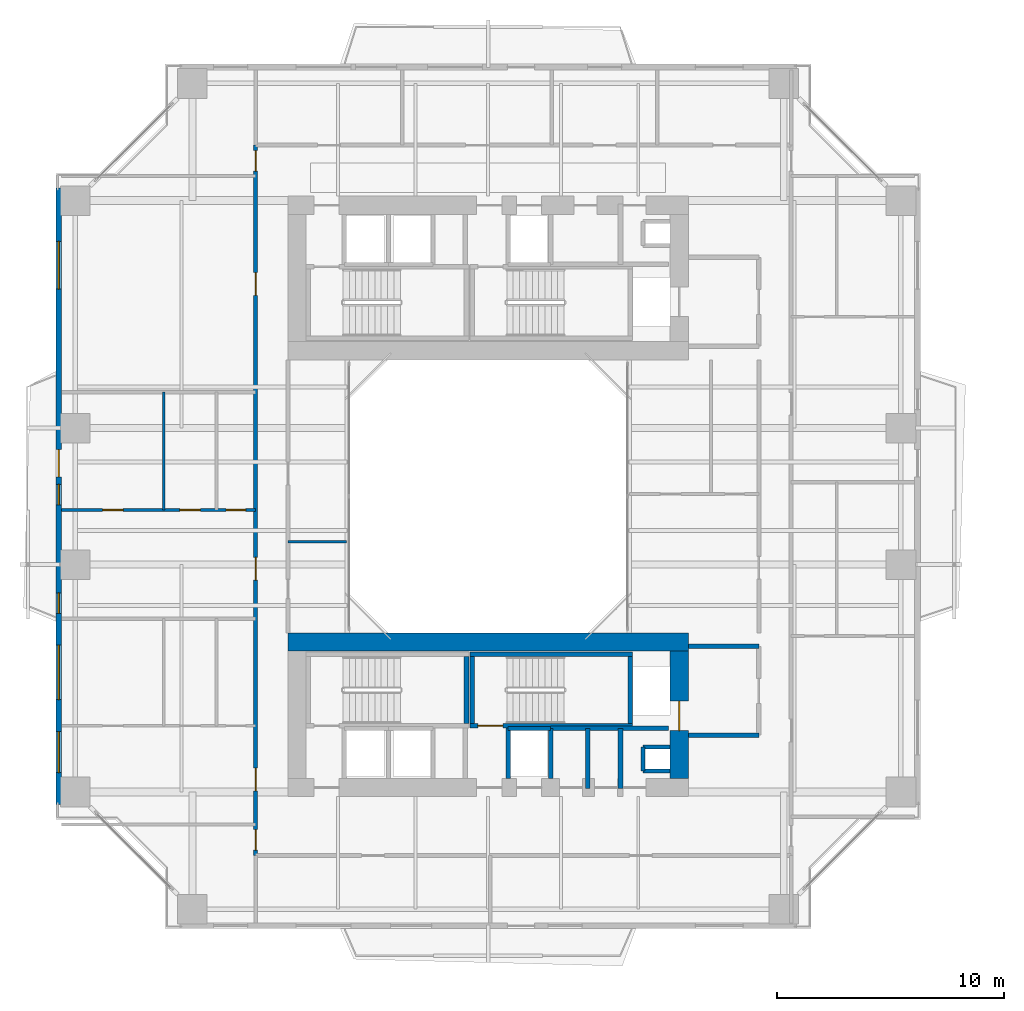
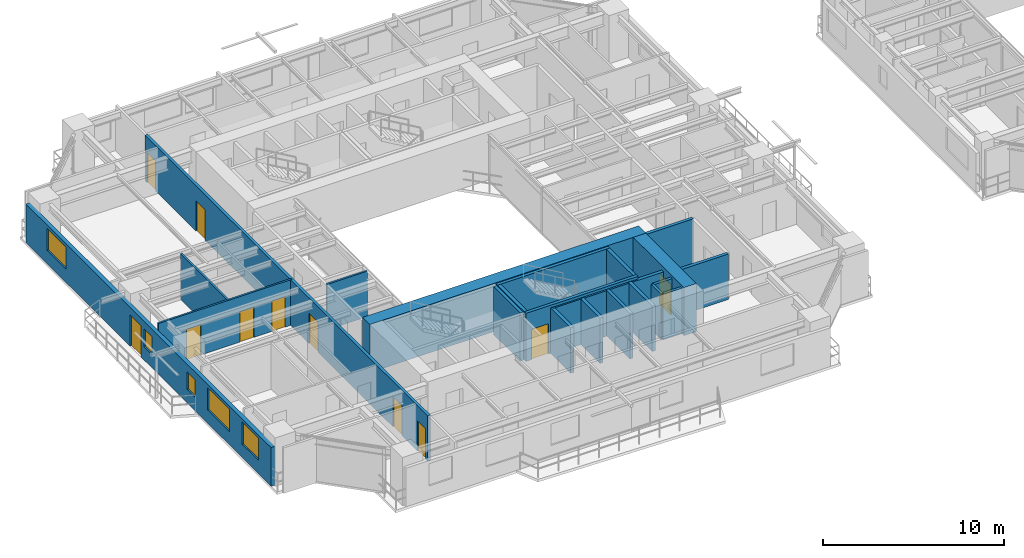
# One storey, part 13 of 23: 23 walls, 11 doors, 5 windows, 16 openings.
"""IFC4 building model written with IfcOpenShell, lengths in metres."""

import ifcopenshell
import ifcopenshell.guid

model = None  # the IFC model being written
_history = None  # IfcOwnerHistory: only IFC2X3 demands one
_inside = {}  # id of a spatial element -> (the spatial element, [elements in it])
_under = {}  # id of a project, library or spatial element -> (it, [spatial elements below it])
_declared = {}  # id of a project -> (the project, [libraries it declares])
_typed = {}  # id of a type object -> (the type object, [elements of that type])
_made_of = {}  # id of a material, layer set ... -> (it, [elements and type objects made of it])


def new_model(schema):
    """Start an empty IFC model of exactly this schema.

    Asked for "IFC4X3", IfcOpenShell would pick the latest addendum, in which some entities
    have other attributes; the version numbers below select the first issue.
    IFC2X3 requires an IfcOwnerHistory on every rooted entity: one is made here for all.
    """
    global model, _history
    if schema == "IFC4X3":
        model = ifcopenshell.file(schema_version=(4, 3, 0, 0))
    else:
        model = ifcopenshell.file(schema=schema)
    _inside.clear()
    _under.clear()
    _declared.clear()
    _typed.clear()
    _made_of.clear()
    _history = None
    if model.schema == "IFC2X3":
        org = make("IfcOrganization", Name="unknown")
        user = make(
            "IfcPersonAndOrganization",
            ThePerson=make("IfcPerson", FamilyName="unknown"),
            TheOrganization=org,
        )
        app = make(
            "IfcApplication",
            ApplicationDeveloper=org,
            Version="unknown",
            ApplicationFullName="unknown",
            ApplicationIdentifier="unknown",
        )
        _history = make(
            "IfcOwnerHistory",
            OwningUser=user,
            OwningApplication=app,
            ChangeAction="ADDED",
            CreationDate=0,
        )
    return model


def make(cls, **values):
    """One entity of the class cls with the attributes given. An attribute that is None is left unset."""
    return model.create_entity(
        cls, **{name: value for name, value in values.items() if value is not None}
    )


def rooted(cls, **values):
    """An entity with a GlobalId (a new one), such as an element, a storey or a relation."""
    return make(cls, GlobalId=ifcopenshell.guid.new(), OwnerHistory=_history, **values)


def si_unit(unit_type, name, prefix=None):
    """IfcSIUnit, for example si_unit("LENGTHUNIT", "METRE", prefix="MILLI")."""
    return make("IfcSIUnit", UnitType=unit_type, Prefix=prefix, Name=name)


def assignment(units):
    """IfcUnitAssignment: the units of a project."""
    return None if units is None else make("IfcUnitAssignment", Units=units)


def point(xyz):
    """IfcCartesianPoint."""
    return None if xyz is None else make("IfcCartesianPoint", Coordinates=xyz)


def direction(xyz):
    """IfcDirection."""
    return None if xyz is None else make("IfcDirection", DirectionRatios=xyz)


def frame(location, z_axis=None, x_axis=None):
    """IfcAxis2Placement3D, a coordinate frame: its origin and axes. An axis left out is left unset."""
    return make(
        "IfcAxis2Placement3D",
        Location=point(location),
        Axis=direction(z_axis),
        RefDirection=direction(x_axis),
    )


def frame_2d(location, x_axis=None):
    """IfcAxis2Placement2D, a coordinate frame in the plane: its origin and x axis."""
    return make(
        "IfcAxis2Placement2D", Location=point(location), RefDirection=direction(x_axis)
    )


def origin():
    """The frame at (0, 0, 0) with its axes left unset."""
    return frame((0.0, 0.0, 0.0))


def place(relative_to, where):
    """IfcLocalPlacement: puts the frame where relative to a parent placement (None: the world)."""
    return make(
        "IfcLocalPlacement", PlacementRelTo=relative_to, RelativePlacement=where
    )


def context(
    kind, dimensions, precision=None, world=None, true_north=None, identifier=None
):
    """IfcGeometricRepresentationContext, for example the 3D "Model" context."""
    return make(
        "IfcGeometricRepresentationContext",
        ContextIdentifier=identifier,
        ContextType=kind,
        CoordinateSpaceDimension=dimensions,
        Precision=precision,
        WorldCoordinateSystem=world,
        TrueNorth=true_north,
    )


def subcontext(parent, identifier, kind, view, scale=None):
    """IfcGeometricRepresentationSubContext, for example "Body" below "Model"."""
    return make(
        "IfcGeometricRepresentationSubContext",
        ContextIdentifier=identifier,
        ContextType=kind,
        ParentContext=parent,
        TargetScale=scale,
        TargetView=view,
    )


def project(units=None, contexts=None):
    """IfcProject with its units and contexts."""
    return rooted(
        "IfcProject",
        Name="project",
        RepresentationContexts=contexts,
        UnitsInContext=assignment(units),
    )


def spatial(cls, under=None, at=None, **own):
    """A site, building, storey or space (cls), placed at a placement, below another one or the project."""
    s = rooted(cls, ObjectPlacement=at, **own)
    if under is not None:
        _under.setdefault(under.id(), (under, []))[1].append(s)
    return s


def profile(cls, at=None, kind="AREA", **sizes):
    """A parametric profile (cls). Its sizes go by their IFC names, for example OverallWidth=200.0."""
    return make(cls, ProfileType=kind, Position=at, **sizes)


def rectangle(**sizes):
    """IfcRectangleProfileDef."""
    return profile("IfcRectangleProfileDef", **sizes)


def extrude(swept, where, along, depth):
    """IfcExtrudedAreaSolid: the profile swept, set in the frame where, extruded along a direction by depth."""
    return make(
        "IfcExtrudedAreaSolid",
        SweptArea=swept,
        Position=where,
        ExtrudedDirection=direction(along),
        Depth=depth,
    )


def shape(context_of_items, identifier, shape_type, items):
    """IfcShapeRepresentation: the items that make up one representation, for example the "Body"."""
    return make(
        "IfcShapeRepresentation",
        ContextOfItems=context_of_items,
        RepresentationIdentifier=identifier,
        RepresentationType=shape_type,
        Items=items,
    )


def source(mapping_origin, context_of_items, identifier, shape_type, items):
    """IfcRepresentationMap: a shape defined once, which mapped items show again and again."""
    return make(
        "IfcRepresentationMap",
        MappingOrigin=mapping_origin,
        MappedRepresentation=shape(context_of_items, identifier, shape_type, items),
    )


def transform(
    local_origin,
    x_axis=None,
    y_axis=None,
    z_axis=None,
    scale=None,
    scale2=None,
    scale3=None,
    uniform=True,
):
    """IfcCartesianTransformationOperator3D, or its non-uniform kind. x_axis, y_axis, z_axis: its Axis1, 2, 3."""
    if uniform:
        return make(
            "IfcCartesianTransformationOperator3D",
            Axis1=direction(x_axis),
            Axis2=direction(y_axis),
            LocalOrigin=point(local_origin),
            Scale=scale,
            Axis3=direction(z_axis),
        )
    return make(
        "IfcCartesianTransformationOperator3DnonUniform",
        Axis1=direction(x_axis),
        Axis2=direction(y_axis),
        LocalOrigin=point(local_origin),
        Scale=scale,
        Axis3=direction(z_axis),
        Scale2=scale2,
        Scale3=scale3,
    )


def mapped(mapping_source, mapping_target):
    """IfcMappedItem: shows the shape of a source again, moved by a transform."""
    return make(
        "IfcMappedItem", MappingSource=mapping_source, MappingTarget=mapping_target
    )


def material(Name=None, Category=None):
    """IfcMaterial."""
    return make("IfcMaterial", Name=Name, Category=Category)


def layer(
    of_material, thickness, ventilated=None, Name=None, Category=None, Priority=None
):
    """IfcMaterialLayer: one layer of a wall or slab, of a material (None: an air gap)."""
    return make(
        "IfcMaterialLayer",
        Material=of_material,
        LayerThickness=thickness,
        IsVentilated=ventilated,
        Name=Name,
        Category=Category,
        Priority=Priority,
    )


def layer_set(layers, Name=None):
    """IfcMaterialLayerSet."""
    return make("IfcMaterialLayerSet", MaterialLayers=layers, LayerSetName=Name)


def made_of(thing, what):
    """Note that an element or type object is made of a material, layer set ...; save() writes the relation."""
    if what is not None:
        _made_of.setdefault(what.id(), (what, []))[1].append(thing)
    return thing


def type_object(cls, material=None, **own):
    """A type object (cls), such as IfcWallType, which elements share."""
    return made_of(rooted(cls, **own), material)


def element(
    cls,
    number,
    at=None,
    inside=None,
    cuts=None,
    type_object=None,
    material=None,
    context=None,
    identifier="Body",
    shape_type=None,
    held_by="IfcProductDefinitionShape",
    body=None,
    shapes=None,
    **own,
):
    """One element of the class cls, such as IfcWall. Its Tag is "e" and its number.

    at: its placement. inside: the storey or other place that contains it. cuts: it is an
    opening in that element (IfcRelVoidsElement). A single representation is given by context,
    identifier, shape_type and body (its items); several are given by shapes. held_by: the class
    of the entity that holds the representations. save() writes the other relations.
    """
    e = rooted(cls, Tag="e%d" % number, ObjectPlacement=at, **own)
    if body is not None:
        shapes = [shape(context, identifier, shape_type, body)]
    if shapes is not None:
        e.Representation = make(held_by, Representations=shapes)
    if inside is not None:
        _inside.setdefault(inside.id(), (inside, []))[1].append(e)
    if cuts is not None:
        rooted(
            "IfcRelVoidsElement", RelatingBuildingElement=cuts, RelatedOpeningElement=e
        )
    if type_object is not None:
        _typed.setdefault(type_object.id(), (type_object, []))[1].append(e)
    return made_of(e, material)


def fill(opening, filler):
    """IfcRelFillsElement: the door or window that sits in an opening."""
    return rooted(
        "IfcRelFillsElement",
        RelatingOpeningElement=opening,
        RelatedBuildingElement=filler,
    )


def aggregate(whole, parts):
    """IfcRelAggregates: a whole, such as a stair, and the parts it consists of."""
    return rooted("IfcRelAggregates", RelatingObject=whole, RelatedObjects=parts)


def save(model, path):
    """Write the relations noted so far, then the file.

    IfcRelAggregates (storeys below a building ...), IfcRelContainedInSpatialStructure (elements
    in a storey), IfcRelDefinesByType, IfcRelAssociatesMaterial and IfcRelDeclares: one each for
    every whole, place, type object, material and project.
    """
    for whole, parts in _under.values():
        aggregate(whole, parts)
    for where, things in _inside.values():
        rooted(
            "IfcRelContainedInSpatialStructure",
            RelatedElements=things,
            RelatingStructure=where,
        )
    for kind, things in _typed.values():
        rooted("IfcRelDefinesByType", RelatedObjects=things, RelatingType=kind)
    for what, things in _made_of.values():
        rooted("IfcRelAssociatesMaterial", RelatedObjects=things, RelatingMaterial=what)
    for by, libraries in _declared.values():
        rooted("IfcRelDeclares", RelatingContext=by, RelatedDefinitions=libraries)
    model.write(path)


model = new_model("IFC4")

# Units and contexts
model_context = context("Model", 3, precision=1e-05, world=origin(), true_north=direction((0.0, 1.0)))
body_context = subcontext(model_context, "Body", "Model", "MODEL_VIEW")
ifc_project = project(units=[si_unit("LENGTHUNIT", "METRE"), si_unit("AREAUNIT", "SQUARE_METRE"), si_unit("VOLUMEUNIT", "CUBIC_METRE"), si_unit("PLANEANGLEUNIT", "RADIAN"), si_unit("MASSUNIT", "GRAM", prefix="KILO"), si_unit("THERMODYNAMICTEMPERATUREUNIT", "KELVIN"), si_unit("POWERUNIT", "WATT")], contexts=[model_context])

# Site, building, storey
site_placement = place(None, origin())
site = spatial("IfcSite", under=ifc_project, at=site_placement, CompositionType="ELEMENT")
building_placement = place(site_placement, origin())
building = spatial("IfcBuilding", under=site, at=building_placement, Name="Qiaomeng Ring Towers", CompositionType="ELEMENT")
storey_placement = place(building_placement, frame((0.0, 0.0, 76.25)))
storey = spatial("IfcBuildingStorey", under=building, at=storey_placement, Name="L21", CompositionType="ELEMENT", Elevation=76.25)

# Wall, openings, windows, door
ifc_material_1 = material(Name="Precast concrete C40", Category="concrete")
ifc_layer_1 = layer(ifc_material_1, 0.25, Name="Precast concrete C40")
ifc_layer_set_1 = layer_set([ifc_layer_1], Name="Precast concrete C40")
wall_type_1 = type_object("IfcWallType", Name="ARC-WL-EW1", PredefinedType="STANDARD", material=ifc_layer_set_1)
wall_1_placement = place(storey_placement, frame((0.125, 9.449951171875, 0.0), z_axis=(0.0, 0.0, 1.0), x_axis=(0.0, 1.0, 0.0)))
wall_1 = element("IfcWall", 1, at=wall_1_placement, inside=storey, type_object=wall_type_1, Name="L21 Tower 1 W Exterior Wall", PredefinedType="STANDARD", context=body_context, shape_type="SweptSolid", body=[
    extrude(rectangle(XDim=27.10009765625, YDim=0.25, at=frame_2d((13.550048828125, 0.0))), origin(), (0.0, 0.0, 1.0), 2.610107421875),
])
opening_1_placement = place(wall_1_placement, frame((14.39990234375, 0.0, 0.0)))
opening_1 = element("IfcOpeningElement", 2, at=opening_1_placement, cuts=wall_1, Name="Opening BD1", PredefinedType="OPENING", context=body_context, shape_type="SweptSolid", body=[
    extrude(rectangle(XDim=1.199951171875, YDim=2.10009765625, at=frame_2d((0.60009765625, 1.050048828125))), frame((0.0, 0.135009765625, 0.0), z_axis=(0.0, -1.0, 0.0), x_axis=(1.0, 0.0, 0.0)), (0.0, 0.0, 1.0), 0.27001953125),
])
opening_2_placement = place(wall_1_placement, frame((1.402587890625, 0.0, 0.89990234375)))
opening_2 = element("IfcOpeningElement", 3, at=opening_2_placement, cuts=wall_1, Name="Opening WN1", PredefinedType="OPENING", context=body_context, shape_type="SweptSolid", body=[
    extrude(rectangle(XDim=1.800048828125, YDim=1.5, at=frame_2d((0.89990234375, 0.75))), frame((0.0, 0.135009765625, 0.0), z_axis=(0.0, -1.0, 0.0), x_axis=(1.0, 0.0, 0.0)), (0.0, 0.0, 1.0), 0.27001953125),
])
opening_3_placement = place(wall_1_placement, frame((22.6630859375, 0.0, 0.89990234375)))
opening_3 = element("IfcOpeningElement", 4, at=opening_3_placement, cuts=wall_1, Name="Opening WN4", PredefinedType="OPENING", context=body_context, shape_type="SweptSolid", body=[
    extrude(rectangle(XDim=2.10009765625, YDim=1.47998046875, at=frame_2d((1.050048828125, 0.739990234375))), frame((0.0, 0.135009765625, 0.0), z_axis=(0.0, -1.0, 0.0), x_axis=(1.0, 0.0, 0.0)), (0.0, 0.0, 1.0), 0.27001953125),
])
opening_4_placement = place(wall_1_placement, frame((4.607421875, 0.0, 0.89990234375)))
opening_4 = element("IfcOpeningElement", 5, at=opening_4_placement, cuts=wall_1, Name="Opening WN6", PredefinedType="OPENING", context=body_context, shape_type="SweptSolid", body=[
    extrude(rectangle(XDim=2.39990234375, YDim=1.5, at=frame_2d((1.199951171875, 0.75))), frame((0.0, 0.135009765625, 0.0), z_axis=(0.0, -1.0, 0.0), x_axis=(1.0, 0.0, 0.0)), (0.0, 0.0, 1.0), 0.27001953125),
])
opening_5_placement = place(wall_1_placement, frame((13.169921875, 0.0, 0.89990234375)))
opening_5 = element("IfcOpeningElement", 6, at=opening_5_placement, cuts=wall_1, Name="Opening WN5", PredefinedType="OPENING", context=body_context, shape_type="SweptSolid", body=[
    extrude(rectangle(XDim=0.89990234375, YDim=1.199951171875, at=frame_2d((0.449951171875, 0.60009765625))), frame((0.0, 0.135009765625, 0.0), z_axis=(0.0, -1.0, 0.0), x_axis=(1.0, 0.0, 0.0)), (0.0, 0.0, 1.0), 0.27001953125),
])
opening_6_placement = place(wall_1_placement, frame((8.405029296875, 0.0, 0.89990234375)))
opening_6 = element("IfcOpeningElement", 7, at=opening_6_placement, cuts=wall_1, Name="Opening WN5", PredefinedType="OPENING", context=body_context, shape_type="SweptSolid", body=[
    extrude(rectangle(XDim=0.89990234375, YDim=1.199951171875, at=frame_2d((0.449951171875, 0.60009765625))), frame((0.0, 0.135009765625, 0.0), z_axis=(0.0, -1.0, 0.0), x_axis=(1.0, 0.0, 0.0)), (0.0, 0.0, 1.0), 0.27001953125),
])
ifc_material_2 = material(Name="Low-E dark-grey laminated double glazing", Category="glass")
window_type_1 = type_object("IfcWindowType", Name="ARC-WN-4", PartitioningType="TRIPLE_PANEL_VERTICAL", PredefinedType="WINDOW", material=ifc_material_2)
shared_shape_1 = source(origin(), body_context, "Body", "SweptSolid", [
    extrude(rectangle(XDim=2.10009765625, YDim=1.47998046875, at=frame_2d((1.050048828125, 0.739990234375))), frame((0.0, 0.030029296875, 0.0), z_axis=(0.0, -1.0, 0.0), x_axis=(1.0, 0.0, 0.0)), (0.0, 0.0, 1.0), 0.06005859375),
])
window_1_placement = place(opening_3_placement, origin())
window_1 = element("IfcWindow", 8, at=window_1_placement, inside=storey, type_object=window_type_1, Name="L21 Exterior Window WN4", OverallHeight=1.47998046875, OverallWidth=2.10009765625, PartitioningType="TRIPLE_PANEL_VERTICAL", PredefinedType="WINDOW", context=body_context, shape_type="MappedRepresentation", body=[
    mapped(shared_shape_1, transform((0.0, 0.0, 0.0), x_axis=(1.0, 0.0, 0.0), y_axis=(0.0, 1.0, 0.0), z_axis=(0.0, 0.0, 1.0), scale=1.0)),
])
fill(opening_3, window_1)
door_type_1 = type_object("IfcDoorType", Name="ARC-DR-BD1", OperationType="NOTDEFINED", PredefinedType="DOOR", material=ifc_material_2)
shared_shape_2 = source(origin(), body_context, "Body", "SweptSolid", [
    extrude(rectangle(XDim=1.199951171875, YDim=2.10009765625, at=frame_2d((0.60009765625, 1.050048828125))), frame((0.0, 0.02490234375, 0.0), z_axis=(0.0, -1.0, 0.0), x_axis=(1.0, 0.0, 0.0)), (0.0, 0.0, 1.0), 0.050048828125),
])
door_1_placement = place(opening_1_placement, frame((1.199951171875, 0.0, 0.0), z_axis=(0.0, 0.0, 1.0), x_axis=(-1.0, 0.0, 0.0)))
door_1 = element("IfcDoor", 9, at=door_1_placement, inside=storey, type_object=door_type_1, Name="L21 W Balcony Glazed Door", OperationType="SINGLE_SWING_LEFT", OverallHeight=2.10009765625, OverallWidth=1.199951171875, PredefinedType="DOOR", context=body_context, shape_type="MappedRepresentation", body=[
    mapped(shared_shape_2, transform((0.0, 0.0, 0.0), x_axis=(1.0, 0.0, 0.0), y_axis=(0.0, 1.0, 0.0), z_axis=(0.0, 0.0, 1.0), scale=1.0)),
])
fill(opening_1, door_1)
window_type_2 = type_object("IfcWindowType", Name="ARC-WN-6", PartitioningType="TRIPLE_PANEL_VERTICAL", PredefinedType="WINDOW", material=ifc_material_2)
shared_shape_3 = source(origin(), body_context, "Body", "SweptSolid", [
    extrude(rectangle(XDim=2.39990234375, YDim=1.5, at=frame_2d((1.199951171875, 0.75))), frame((0.0, 0.030029296875, 0.0), z_axis=(0.0, -1.0, 0.0), x_axis=(1.0, 0.0, 0.0)), (0.0, 0.0, 1.0), 0.06005859375),
])
window_2_placement = place(opening_4_placement, origin())
window_2 = element("IfcWindow", 10, at=window_2_placement, inside=storey, type_object=window_type_2, Name="L21 Exterior Window WN6", OverallHeight=1.5, OverallWidth=2.39990234375, PartitioningType="TRIPLE_PANEL_VERTICAL", PredefinedType="WINDOW", context=body_context, shape_type="MappedRepresentation", body=[
    mapped(shared_shape_3, transform((0.0, 0.0, 0.0), x_axis=(1.0, 0.0, 0.0), y_axis=(0.0, 1.0, 0.0), z_axis=(0.0, 0.0, 1.0), scale=1.0)),
])
fill(opening_4, window_2)
window_type_3 = type_object("IfcWindowType", Name="ARC-WN-1", PartitioningType="DOUBLE_PANEL_VERTICAL", PredefinedType="WINDOW", material=ifc_material_2)
shared_shape_4 = source(origin(), body_context, "Body", "SweptSolid", [
    extrude(rectangle(XDim=1.800048828125, YDim=1.5, at=frame_2d((0.89990234375, 0.75))), frame((0.0, 0.030029296875, 0.0), z_axis=(0.0, -1.0, 0.0), x_axis=(1.0, 0.0, 0.0)), (0.0, 0.0, 1.0), 0.06005859375),
])
window_3_placement = place(opening_2_placement, origin())
window_3 = element("IfcWindow", 11, at=window_3_placement, inside=storey, type_object=window_type_3, Name="L21 Exterior Window WN6", OverallHeight=1.5, OverallWidth=1.800048828125, PartitioningType="TRIPLE_PANEL_VERTICAL", PredefinedType="WINDOW", context=body_context, shape_type="MappedRepresentation", body=[
    mapped(shared_shape_4, transform((0.0, 0.0, 0.0), x_axis=(1.0, 0.0, 0.0), y_axis=(0.0, 1.0, 0.0), z_axis=(0.0, 0.0, 1.0), scale=1.0)),
])
fill(opening_2, window_3)
window_type_4 = type_object("IfcWindowType", Name="ARC-WN-5", PartitioningType="SINGLE_PANEL", PredefinedType="WINDOW", material=ifc_material_2)
shared_shape_5 = source(origin(), body_context, "Body", "SweptSolid", [
    extrude(rectangle(XDim=0.89990234375, YDim=1.199951171875, at=frame_2d((0.449951171875, 0.60009765625))), frame((0.0, 0.030029296875, 0.0), z_axis=(0.0, -1.0, 0.0), x_axis=(1.0, 0.0, 0.0)), (0.0, 0.0, 1.0), 0.06005859375),
])
window_4_placement = place(opening_5_placement, origin())
window_4 = element("IfcWindow", 12, at=window_4_placement, inside=storey, type_object=window_type_4, Name="L21 Exterior Window WN5", OverallHeight=1.199951171875, OverallWidth=0.89990234375, PartitioningType="SINGLE_PANEL", PredefinedType="WINDOW", context=body_context, shape_type="MappedRepresentation", body=[
    mapped(shared_shape_5, transform((0.0, 0.0, 0.0), x_axis=(1.0, 0.0, 0.0), y_axis=(0.0, 1.0, 0.0), z_axis=(0.0, 0.0, 1.0), scale=1.0)),
])
fill(opening_5, window_4)
window_5_placement = place(opening_6_placement, origin())
window_5 = element("IfcWindow", 13, at=window_5_placement, inside=storey, type_object=window_type_4, Name="L21 Exterior Window WN5", OverallHeight=1.199951171875, OverallWidth=0.89990234375, PartitioningType="SINGLE_PANEL", PredefinedType="WINDOW", context=body_context, shape_type="MappedRepresentation", body=[
    mapped(shared_shape_5, transform((0.0, 0.0, 0.0), x_axis=(1.0, 0.0, 0.0), y_axis=(0.0, 1.0, 0.0), z_axis=(0.0, 0.0, 1.0), scale=1.0)),
])
fill(opening_6, window_5)

# Walls
ifc_material_3 = material(Name="Autoclaved aerated concrete block", Category="concrete")
ifc_layer_2 = layer(ifc_material_3, 0.199951171875, Name="Autoclaved aerated concrete block")
ifc_layer_set_2 = layer_set([ifc_layer_2], Name="Autoclaved aerated concrete block")
wall_type_2 = type_object("IfcWallType", Name="ARC-WL-PW1", PredefinedType="PARTITIONING", material=ifc_layer_set_2)
for number, where, z_axis, x_axis, name in (
    (14, (27.800048828125, 16.39990234375, 0.0), (0.0, 0.0, 1.0), (1.0, 0.0, 0.0), "L21 Interior Wall PW1"),
    (15, (27.800048828125, 12.5, 0.0), (0.0, 0.0, 1.0), (1.0, 0.0, 0.0), "L21 Interior Wall PW1"),
):
    element("IfcWall", number, at=place(storey_placement, frame(where, z_axis=z_axis, x_axis=x_axis)), inside=storey, type_object=wall_type_2, Name=name, PredefinedType="PARTITIONING", context=body_context, shape_type="SweptSolid", body=[
        extrude(rectangle(XDim=3.099853515625, YDim=0.199951171875, at=frame_2d((1.5498046875, 0.0))), origin(), (0.0, 0.0, 1.0), 3.070068359375),
    ])
wall_2_placement = place(storey_placement, frame((19.8798828125, 10.60009765625, 0.0), z_axis=(0.0, 0.0, 1.0), x_axis=(0.0, 1.0, 0.0)))
element("IfcWall", 16, at=wall_2_placement, inside=storey, type_object=wall_type_2, Name="L21 Interior Wall PW1", PredefinedType="PARTITIONING", context=body_context, shape_type="SweptSolid", body=[
    extrude(rectangle(XDim=2.2099609375, YDim=0.199951171875, at=frame_2d((1.10498046875, 0.0))), origin(), (0.0, 0.0, 1.0), 3.070068359375),
])
wall_3_placement = place(storey_placement, frame((24.820068359375, 10.14990234375, 0.0), z_axis=(0.0, 0.0, 1.0), x_axis=(0.0, 1.0, 0.0)))
element("IfcWall", 17, at=wall_3_placement, inside=storey, type_object=wall_type_2, Name="L21 Interior Wall PW1", PredefinedType="PARTITIONING", context=body_context, shape_type="SweptSolid", body=[
    extrude(rectangle(XDim=2.650146484375, YDim=0.199951171875, at=frame_2d((1.3251953125, 0.0))), origin(), (0.0, 0.0, 1.0), 3.070068359375),
])
wall_4_placement = place(storey_placement, frame((21.75, 10.60009765625, 0.0), z_axis=(0.0, 0.0, 1.0), x_axis=(0.0, 1.0, 0.0)))
element("IfcWall", 18, at=wall_4_placement, inside=storey, type_object=wall_type_2, Name="L21 Interior Wall PW1", PredefinedType="PARTITIONING", context=body_context, shape_type="SweptSolid", body=[
    extrude(rectangle(XDim=2.199951171875, YDim=0.199951171875, at=frame_2d((1.10009765625, 0.0))), origin(), (0.0, 0.0, 1.0), 3.070068359375),
])
wall_5_placement = place(storey_placement, frame((23.389892578125, 10.14990234375, 0.0), z_axis=(0.0, 0.0, 1.0), x_axis=(0.0, 1.0, 0.0)))
element("IfcWall", 19, at=wall_5_placement, inside=storey, type_object=wall_type_2, Name="L21 Interior Wall PW1", PredefinedType="PARTITIONING", context=body_context, shape_type="SweptSolid", body=[
    extrude(rectangle(XDim=2.650146484375, YDim=0.199951171875, at=frame_2d((1.3251953125, 0.0))), origin(), (0.0, 0.0, 1.0), 3.070068359375),
])
wall_6_placement = place(storey_placement, frame((21.75, 12.800048828125, 0.0), z_axis=(0.0, 0.0, 1.0), x_axis=(1.0, 0.0, 0.0)))
element("IfcWall", 20, at=wall_6_placement, inside=storey, type_object=wall_type_2, Name="L21 Interior Wall PW1", PredefinedType="PARTITIONING", context=body_context, shape_type="SweptSolid", body=[
    extrude(rectangle(XDim=5.169921875, YDim=0.199951171875, at=frame_2d((2.5849609375, 0.0))), origin(), (0.0, 0.0, 1.0), 3.070068359375),
])

# Wall, openings, doors
ifc_layer_3 = layer(ifc_material_3, 0.179931640625, Name="Autoclaved aerated concrete block")
ifc_layer_set_3 = layer_set([ifc_layer_3], Name="Autoclaved aerated concrete block")
wall_type_3 = type_object("IfcWallType", Name="ARC-WL-PW2", PredefinedType="PARTITIONING", material=ifc_layer_set_3)
wall_7_placement = place(storey_placement, frame((8.780029296875, 7.2099609375, 0.0), z_axis=(0.0, 0.0, 1.0), x_axis=(0.0, 1.0, 0.0)))
wall_7 = element("IfcWall", 21, at=wall_7_placement, inside=storey, type_object=wall_type_3, Name="L21 Interior Wall PW2", PredefinedType="PARTITIONING", context=body_context, shape_type="SweptSolid", body=[
    extrude(rectangle(XDim=31.22998046875, YDim=0.179931640625, at=frame_2d((15.614990234375, 0.0))), origin(), (0.0, 0.0, 1.0), 3.070068359375),
])
opening_7_placement = place(wall_7_placement, frame((30.090087890625, 0.0, 0.0)))
opening_7 = element("IfcOpeningElement", 22, at=opening_7_placement, cuts=wall_7, Name="Opening ID1", PredefinedType="OPENING", context=body_context, shape_type="SweptSolid", body=[
    extrude(rectangle(XDim=0.89990234375, YDim=2.050048828125, at=frame_2d((0.449951171875, 1.02490234375))), frame((0.0, 0.099853515625, 0.0), z_axis=(0.0, -1.0, 0.0), x_axis=(1.0, 0.0, 0.0)), (0.0, 0.0, 1.0), 0.199951171875),
])
opening_8_placement = place(wall_7_placement, frame((0.239990234375, 0.0, 0.0)))
opening_8 = element("IfcOpeningElement", 23, at=opening_8_placement, cuts=wall_7, Name="Opening ID1", PredefinedType="OPENING", context=body_context, shape_type="SweptSolid", body=[
    extrude(rectangle(XDim=0.89990234375, YDim=2.050048828125, at=frame_2d((0.449951171875, 1.02490234375))), frame((0.0, 0.099853515625, 0.0), z_axis=(0.0, -1.0, 0.0), x_axis=(1.0, 0.0, 0.0)), (0.0, 0.0, 1.0), 0.199951171875),
])
opening_9_placement = place(wall_7_placement, frame((2.840087890625, 0.0, 0.0)))
opening_9 = element("IfcOpeningElement", 24, at=opening_9_placement, cuts=wall_7, Name="Opening FD4", PredefinedType="OPENING", context=body_context, shape_type="SweptSolid", body=[
    extrude(rectangle(XDim=1.0, YDim=2.050048828125, at=frame_2d((0.5, 1.02490234375))), frame((0.0, 0.099853515625, 0.0), z_axis=(0.0, -1.0, 0.0), x_axis=(1.0, 0.0, 0.0)), (0.0, 0.0, 1.0), 0.199951171875),
])
opening_10_placement = place(wall_7_placement, frame((12.110107421875, 0.0, 0.0)))
opening_10 = element("IfcOpeningElement", 25, at=opening_10_placement, cuts=wall_7, Name="Opening FD4", PredefinedType="OPENING", context=body_context, shape_type="SweptSolid", body=[
    extrude(rectangle(XDim=1.0, YDim=2.050048828125, at=frame_2d((0.5, 1.02490234375))), frame((0.0, 0.099853515625, 0.0), z_axis=(0.0, -1.0, 0.0), x_axis=(1.0, 0.0, 0.0)), (0.0, 0.0, 1.0), 0.199951171875),
])
opening_11_placement = place(wall_7_placement, frame((24.6201171875, 0.0, 0.0)))
opening_11 = element("IfcOpeningElement", 26, at=opening_11_placement, cuts=wall_7, Name="Opening FD4", PredefinedType="OPENING", context=body_context, shape_type="SweptSolid", body=[
    extrude(rectangle(XDim=1.0, YDim=2.050048828125, at=frame_2d((0.5, 1.02490234375))), frame((0.0, 0.099853515625, 0.0), z_axis=(0.0, -1.0, 0.0), x_axis=(1.0, 0.0, 0.0)), (0.0, 0.0, 1.0), 0.199951171875),
])
ifc_material_4 = material(Name="Engineered fire-rated oak timber", Category="wood")
door_type_2 = type_object("IfcDoorType", Name="ARC-DR-FD4", OperationType="NOTDEFINED", PredefinedType="DOOR", material=ifc_material_4)
shared_shape_6 = source(origin(), body_context, "Body", "SweptSolid", [
    extrude(rectangle(XDim=1.0, YDim=2.050048828125, at=frame_2d((0.5, 1.02490234375))), frame((0.0, 0.02490234375, 0.0), z_axis=(0.0, -1.0, 0.0), x_axis=(1.0, 0.0, 0.0)), (0.0, 0.0, 1.0), 0.050048828125),
])
door_2_placement = place(opening_9_placement, origin())
door_2 = element("IfcDoor", 27, at=door_2_placement, inside=storey, type_object=door_type_2, Name="L21 Door FD4", OperationType="SINGLE_SWING_LEFT", OverallHeight=2.050048828125, OverallWidth=1.0, PredefinedType="DOOR", context=body_context, shape_type="MappedRepresentation", body=[
    mapped(shared_shape_6, transform((0.0, 0.0, 0.0), x_axis=(1.0, 0.0, 0.0), y_axis=(0.0, 1.0, 0.0), z_axis=(0.0, 0.0, 1.0), scale=1.0)),
])
fill(opening_9, door_2)
door_3_placement = place(opening_10_placement, origin())
door_3 = element("IfcDoor", 28, at=door_3_placement, inside=storey, type_object=door_type_2, Name="L21 Door FD4", OperationType="SINGLE_SWING_LEFT", OverallHeight=2.050048828125, OverallWidth=1.0, PredefinedType="DOOR", context=body_context, shape_type="MappedRepresentation", body=[
    mapped(shared_shape_6, transform((0.0, 0.0, 0.0), x_axis=(1.0, 0.0, 0.0), y_axis=(0.0, 1.0, 0.0), z_axis=(0.0, 0.0, 1.0), scale=1.0)),
])
fill(opening_10, door_3)
door_4_placement = place(opening_11_placement, origin())
door_4 = element("IfcDoor", 29, at=door_4_placement, inside=storey, type_object=door_type_2, Name="L21 Door FD4", OperationType="SINGLE_SWING_RIGHT", OverallHeight=2.050048828125, OverallWidth=1.0, PredefinedType="DOOR", context=body_context, shape_type="MappedRepresentation", body=[
    mapped(shared_shape_6, transform((0.0, 0.0, 0.0), x_axis=(1.0, 0.0, 0.0), y_axis=(0.0, 1.0, 0.0), z_axis=(0.0, 0.0, 1.0), scale=1.0)),
])
fill(opening_11, door_4)
ifc_material_5 = material(Name="Engineered oak timber", Category="wood")
door_type_3 = type_object("IfcDoorType", Name="ARC-DR-ID1", OperationType="NOTDEFINED", PredefinedType="DOOR", material=ifc_material_5)
shared_shape_7 = source(origin(), body_context, "Body", "SweptSolid", [
    extrude(rectangle(XDim=0.89990234375, YDim=2.050048828125, at=frame_2d((0.449951171875, 1.02490234375))), frame((0.0, 0.02490234375, 0.0), z_axis=(0.0, -1.0, 0.0), x_axis=(1.0, 0.0, 0.0)), (0.0, 0.0, 1.0), 0.050048828125),
])
door_5_placement = place(opening_7_placement, origin())
door_5 = element("IfcDoor", 30, at=door_5_placement, inside=storey, type_object=door_type_3, Name="L21 Door ID1", OperationType="SINGLE_SWING_RIGHT", OverallHeight=2.050048828125, OverallWidth=0.89990234375, PredefinedType="DOOR", context=body_context, shape_type="MappedRepresentation", body=[
    mapped(shared_shape_7, transform((0.0, 0.0, 0.0), x_axis=(1.0, 0.0, 0.0), y_axis=(0.0, 1.0, 0.0), z_axis=(0.0, 0.0, 1.0), scale=1.0)),
])
fill(opening_7, door_5)
door_6_placement = place(opening_8_placement, origin())
door_6 = element("IfcDoor", 31, at=door_6_placement, inside=storey, type_object=door_type_3, Name="L21 Door ID1", OperationType="SINGLE_SWING_LEFT", OverallHeight=2.050048828125, OverallWidth=0.89990234375, PredefinedType="DOOR", context=body_context, shape_type="MappedRepresentation", body=[
    mapped(shared_shape_7, transform((0.0, 0.0, 0.0), x_axis=(1.0, 0.0, 0.0), y_axis=(0.0, 1.0, 0.0), z_axis=(0.0, 0.0, 1.0), scale=1.0)),
])
fill(opening_8, door_6)

ifc_material_6 = material(Name="Moisture-resistant gypsum steel-stud partition", Category="steel")
ifc_layer_4 = layer(ifc_material_6, 0.1201171875, Name="Moisture-resistant gypsum steel-stud partition")
ifc_layer_set_4 = layer_set([ifc_layer_4], Name="Moisture-resistant gypsum steel-stud partition")
wall_type_4 = type_object("IfcWallType", Name="ARC-WL-PW4", PredefinedType="PLUMBINGWALL", material=ifc_layer_set_4)
wall_8_placement = place(storey_placement, frame((0.25, 22.39990234375, 0.0), z_axis=(0.0, 0.0, 1.0), x_axis=(1.0, 0.0, 0.0)))
wall_8 = element("IfcWall", 32, at=wall_8_placement, inside=storey, type_object=wall_type_4, Name="L21 Interior Wall PW4", PredefinedType="PLUMBINGWALL", context=body_context, shape_type="SweptSolid", body=[
    extrude(rectangle(XDim=8.530029296875, YDim=0.1201171875, at=frame_2d((4.26513671875, 0.0))), origin(), (0.0, 0.0, 1.0), 3.070068359375),
])
opening_12_placement = place(wall_8_placement, frame((1.804931640625, 0.0, 0.0)))
opening_12 = element("IfcOpeningElement", 33, at=opening_12_placement, cuts=wall_8, Name="Opening ID1", PredefinedType="OPENING", context=body_context, shape_type="SweptSolid", body=[
    extrude(rectangle(XDim=0.89990234375, YDim=2.050048828125, at=frame_2d((0.449951171875, 1.02490234375))), frame((0.0, 0.070068359375, 0.0), z_axis=(0.0, -1.0, 0.0), x_axis=(1.0, 0.0, 0.0)), (0.0, 0.0, 1.0), 0.14013671875),
])
opening_13_placement = place(wall_8_placement, frame((5.199951171875, 0.0, 0.0)))
opening_13 = element("IfcOpeningElement", 34, at=opening_13_placement, cuts=wall_8, Name="Opening ID1", PredefinedType="OPENING", context=body_context, shape_type="SweptSolid", body=[
    extrude(rectangle(XDim=0.89990234375, YDim=2.050048828125, at=frame_2d((0.449951171875, 1.02490234375))), frame((0.0, 0.070068359375, 0.0), z_axis=(0.0, -1.0, 0.0), x_axis=(1.0, 0.0, 0.0)), (0.0, 0.0, 1.0), 0.14013671875),
])
opening_14_placement = place(wall_8_placement, frame((7.235107421875, 0.0, 0.0)))
opening_14 = element("IfcOpeningElement", 35, at=opening_14_placement, cuts=wall_8, Name="Opening ID2", PredefinedType="OPENING", context=body_context, shape_type="SweptSolid", body=[
    extrude(rectangle(XDim=0.85009765625, YDim=2.050048828125, at=frame_2d((0.425048828125, 1.02490234375))), frame((0.0, 0.070068359375, 0.0), z_axis=(0.0, -1.0, 0.0), x_axis=(1.0, 0.0, 0.0)), (0.0, 0.0, 1.0), 0.14013671875),
])
ifc_material_7 = material(Name="Moisture-resistant engineered timber", Category="wood")
door_type_4 = type_object("IfcDoorType", Name="ARC-DR-ID2", OperationType="NOTDEFINED", PredefinedType="DOOR", material=ifc_material_7)
shared_shape_8 = source(origin(), body_context, "Body", "SweptSolid", [
    extrude(rectangle(XDim=0.85009765625, YDim=2.050048828125, at=frame_2d((0.425048828125, 1.02490234375))), frame((0.0, 0.02490234375, 0.0), z_axis=(0.0, -1.0, 0.0), x_axis=(1.0, 0.0, 0.0)), (0.0, 0.0, 1.0), 0.050048828125),
])
door_7_placement = place(opening_14_placement, origin())
door_7 = element("IfcDoor", 36, at=door_7_placement, inside=storey, type_object=door_type_4, Name="L21 Door ID2", OperationType="SINGLE_SWING_RIGHT", OverallHeight=2.050048828125, OverallWidth=0.85009765625, PredefinedType="DOOR", context=body_context, shape_type="MappedRepresentation", body=[
    mapped(shared_shape_8, transform((0.0, 0.0, 0.0), x_axis=(1.0, 0.0, 0.0), y_axis=(0.0, 1.0, 0.0), z_axis=(0.0, 0.0, 1.0), scale=1.0)),
])
fill(opening_14, door_7)
door_8_placement = place(opening_12_placement, origin())
door_8 = element("IfcDoor", 37, at=door_8_placement, inside=storey, type_object=door_type_3, Name="L21 Door ID1", OperationType="SINGLE_SWING_RIGHT", OverallHeight=2.050048828125, OverallWidth=0.89990234375, PredefinedType="DOOR", context=body_context, shape_type="MappedRepresentation", body=[
    mapped(shared_shape_7, transform((0.0, 0.0, 0.0), x_axis=(1.0, 0.0, 0.0), y_axis=(0.0, 1.0, 0.0), z_axis=(0.0, 0.0, 1.0), scale=1.0)),
])
fill(opening_12, door_8)
door_9_placement = place(opening_13_placement, origin())
door_9 = element("IfcDoor", 38, at=door_9_placement, inside=storey, type_object=door_type_3, Name="L21 Door ID1", OperationType="SINGLE_SWING_LEFT", OverallHeight=2.050048828125, OverallWidth=0.89990234375, PredefinedType="DOOR", context=body_context, shape_type="MappedRepresentation", body=[
    mapped(shared_shape_7, transform((0.0, 0.0, 0.0), x_axis=(1.0, 0.0, 0.0), y_axis=(0.0, 1.0, 0.0), z_axis=(0.0, 0.0, 1.0), scale=1.0)),
])
fill(opening_13, door_9)

# Walls
wall_9_placement = place(storey_placement, frame((4.739990234375, 22.39990234375, 0.0), z_axis=(0.0, 0.0, 1.0), x_axis=(0.0, 1.0, 0.0)))
element("IfcWall", 39, at=wall_9_placement, inside=storey, type_object=wall_type_4, Name="L21 Interior Wall PW4", PredefinedType="PLUMBINGWALL", context=body_context, shape_type="SweptSolid", body=[
    extrude(rectangle(XDim=5.18017578125, YDim=0.1201171875, at=frame_2d((2.590087890625, 0.0))), origin(), (0.0, 0.0, 1.0), 3.070068359375),
])
wall_10_placement = place(storey_placement, frame((10.199951171875, 21.0, 0.0), z_axis=(0.0, 0.0, 1.0), x_axis=(1.0, 0.0, 0.0)))
element("IfcWall", 40, at=wall_10_placement, inside=storey, type_object=wall_type_4, Name="L21 Interior Wall PW4", PredefinedType="PLUMBINGWALL", context=body_context, shape_type="SweptSolid", body=[
    extrude(rectangle(XDim=2.580078125, YDim=0.1201171875, at=frame_2d((1.2900390625, 0.0))), origin(), (0.0, 0.0, 1.0), 3.070068359375),
])
ifc_material_8 = material(Name="Concrete C40", Category="concrete")
ifc_layer_5 = layer(ifc_material_8, 0.199951171875, Name="Concrete C40")
ifc_layer_set_5 = layer_set([ifc_layer_5], Name="Concrete C40")
wall_type_5 = type_object("IfcWallType", Name="STR-WL-STSHAFT", PredefinedType="SHEAR", material=ifc_layer_set_5)
wall_11_placement = place(storey_placement, frame((25.800048828125, 10.919921875, 0.0), z_axis=(0.0, 0.0, 1.0), x_axis=(0.0, 1.0, 0.0)))
element("IfcWall", 41, at=wall_11_placement, inside=storey, type_object=wall_type_5, Name="L21 Riser RSR1 West Shaft Wall S", PredefinedType="SHEAR", context=body_context, shape_type="SweptSolid", body=[
    extrude(rectangle(XDim=1.06005859375, YDim=0.179931640625, at=frame_2d((0.530029296875, 0.0))), origin(), (0.0, 0.0, 1.0), 3.070068359375),
])
for number, where, z_axis, x_axis, name in (
    (42, (25.800048828125, 11.97998046875, 0.0), (0.0, 0.0, 1.0), (1.0, 0.0, 0.0), "L21 Riser RSR1 North Shaft Wall S"),
    (43, (25.800048828125, 10.919921875, 0.0), (0.0, 0.0, 1.0), (1.0, 0.0, 0.0), "L21 Riser RSR1 South Shaft Wall S"),
):
    element("IfcWall", number, at=place(storey_placement, frame(where, z_axis=z_axis, x_axis=x_axis)), inside=storey, type_object=wall_type_5, Name=name, PredefinedType="SHEAR", context=body_context, shape_type="SweptSolid", body=[
        extrude(rectangle(XDim=1.199951171875, YDim=0.179931640625, at=frame_2d((0.60009765625, 0.0))), origin(), (0.0, 0.0, 1.0), 3.070068359375),
    ])
wall_12_placement = place(storey_placement, frame((19.8798828125, 12.800048828125, 0.0), z_axis=(0.0, 0.0, 1.0), x_axis=(1.0, 0.0, 0.0)))
element("IfcWall", 44, at=wall_12_placement, inside=storey, type_object=wall_type_5, Name="L21 Lift LP2 Shaft Back Wall", PredefinedType="SHEAR", context=body_context, shape_type="SweptSolid", body=[
    extrude(rectangle(XDim=1.8701171875, YDim=0.179931640625, at=frame_2d((0.93505859375, 0.0))), origin(), (0.0, 0.0, 1.0), 3.070068359375),
])
wall_13_placement = place(storey_placement, frame((18.050048828125, 13.010009765625, 0.0), z_axis=(0.0, 0.0, 1.0), x_axis=(0.0, 1.0, 0.0)))
element("IfcWall", 45, at=wall_13_placement, inside=storey, type_object=wall_type_5, Name="L21 Stair ST3 East Shaft Shear Wall", PredefinedType="SHEAR", context=body_context, shape_type="SweptSolid", body=[
    extrude(rectangle(XDim=2.93994140625, YDim=0.199951171875, at=frame_2d((1.469970703125, 0.0))), origin(), (0.0, 0.0, 1.0), 3.25),
])

# Wall, opening, door
wall_14_placement = place(storey_placement, frame((18.199951171875, 12.909912109375, 0.0), z_axis=(0.0, 0.0, 1.0), x_axis=(1.0, 0.0, 0.0)))
wall_14 = element("IfcWall", 46, at=wall_14_placement, inside=storey, type_object=wall_type_5, Name="L21 Stair ST4 South Shaft Shear Wall", PredefinedType="SHEAR", context=body_context, shape_type="SweptSolid", body=[
    extrude(rectangle(XDim=7.150146484375, YDim=0.199951171875, at=frame_2d((3.5751953125, 0.0))), origin(), (0.0, 0.0, 1.0), 3.25),
])
opening_15_placement = place(wall_14_placement, frame((0.35009765625, 0.0, 0.0)))
opening_15 = element("IfcOpeningElement", 47, at=opening_15_placement, cuts=wall_14, Name="Opening FD3", PredefinedType="OPENING", context=body_context, shape_type="SweptSolid", body=[
    extrude(rectangle(XDim=1.10009765625, YDim=2.050048828125, at=frame_2d((0.550048828125, 1.02490234375))), frame((0.0, 0.10986328125, 0.0), z_axis=(0.0, -1.0, 0.0), x_axis=(1.0, 0.0, 0.0)), (0.0, 0.0, 1.0), 0.219970703125),
])
ifc_material_9 = material(Name="Galvanised steel", Category="steel")
door_type_5 = type_object("IfcDoorType", Name="ARC-DR-FD3", OperationType="NOTDEFINED", PredefinedType="DOOR", material=ifc_material_9)
shared_shape_9 = source(origin(), body_context, "Body", "SweptSolid", [
    extrude(rectangle(XDim=1.10009765625, YDim=2.050048828125, at=frame_2d((0.550048828125, 1.02490234375))), frame((0.0, 0.02490234375, 0.0), z_axis=(0.0, -1.0, 0.0), x_axis=(1.0, 0.0, 0.0)), (0.0, 0.0, 1.0), 0.050048828125),
])
door_10_placement = place(opening_15_placement, frame((1.10009765625, 0.0, 0.0), z_axis=(0.0, 0.0, 1.0), x_axis=(-1.0, 0.0, 0.0)))
door_10 = element("IfcDoor", 48, at=door_10_placement, inside=storey, type_object=door_type_5, Name="L21 Stair ST4 Exit Door", OperationType="SINGLE_SWING_RIGHT", OverallHeight=2.050048828125, OverallWidth=1.10009765625, PredefinedType="DOOR", context=body_context, shape_type="MappedRepresentation", body=[
    mapped(shared_shape_9, transform((0.0, 0.0, 0.0), x_axis=(1.0, 0.0, 0.0), y_axis=(0.0, 1.0, 0.0), z_axis=(0.0, 0.0, 1.0), scale=1.0)),
])
fill(opening_15, door_10)

# Walls
wall_15_placement = place(storey_placement, frame((18.199951171875, 16.050048828125, 0.0), z_axis=(0.0, 0.0, 1.0), x_axis=(1.0, 0.0, 0.0)))
element("IfcWall", 49, at=wall_15_placement, inside=storey, type_object=wall_type_5, Name="L21 Stair ST4 North Shaft Shear Wall", PredefinedType="SHEAR", context=body_context, shape_type="SweptSolid", body=[
    extrude(rectangle(XDim=7.150146484375, YDim=0.199951171875, at=frame_2d((3.5751953125, 0.0))), origin(), (0.0, 0.0, 1.0), 3.25),
])
for number, where, z_axis, x_axis, name in (
    (50, (18.300048828125, 13.010009765625, 0.0), (0.0, 0.0, 1.0), (0.0, 1.0, 0.0), "L21 Stair ST4 West Shaft Shear Wall"),
    (51, (25.25, 13.010009765625, 0.0), (0.0, 0.0, 1.0), (0.0, 1.0, 0.0), "L21 Stair ST4 East Shaft Shear Wall"),
):
    element("IfcWall", number, at=place(storey_placement, frame(where, z_axis=z_axis, x_axis=x_axis)), inside=storey, type_object=wall_type_5, Name=name, PredefinedType="SHEAR", context=body_context, shape_type="SweptSolid", body=[
        extrude(rectangle(XDim=2.93994140625, YDim=0.199951171875, at=frame_2d((1.469970703125, 0.0))), origin(), (0.0, 0.0, 1.0), 3.25),
    ])
ifc_material_10 = material(Name="Concrete C60", Category="concrete")
ifc_layer_6 = layer(ifc_material_10, 0.800048828125, Name="Concrete C60")
ifc_layer_set_6 = layer_set([ifc_layer_6], Name="Concrete C60")
wall_type_6 = type_object("IfcWallType", Name="STR-WL-SW1", PredefinedType="SHEAR", material=ifc_layer_set_6)
wall_16_placement = place(storey_placement, frame((10.199951171875, 16.60009765625, 0.0), z_axis=(0.0, 0.0, 1.0), x_axis=(1.0, 0.0, 0.0)))
element("IfcWall", 52, at=wall_16_placement, inside=storey, type_object=wall_type_6, Name="L21 T1SC north core shear wall", PredefinedType="SHEAR", context=body_context, shape_type="SweptSolid", body=[
    extrude(rectangle(XDim=17.60009765625, YDim=0.800048828125, at=frame_2d((8.800048828125, 0.0))), origin(), (0.0, 0.0, 1.0), 3.25),
])

# Wall, opening, door
wall_17_placement = place(storey_placement, frame((27.39990234375, 10.60009765625, 0.0), z_axis=(0.0, 0.0, 1.0), x_axis=(0.0, 1.0, 0.0)))
wall_17 = element("IfcWall", 53, at=wall_17_placement, inside=storey, type_object=wall_type_6, Name="L21 T1SC east core shear wall", PredefinedType="SHEAR", context=body_context, shape_type="SweptSolid", body=[
    extrude(rectangle(XDim=5.599853515625, YDim=0.800048828125, at=frame_2d((2.7998046875, 0.0))), origin(), (0.0, 0.0, 1.0), 3.25),
])
opening_16_placement = place(wall_17_placement, frame((2.10009765625, 0.0, 0.0)))
opening_16 = element("IfcOpeningElement", 54, at=opening_16_placement, cuts=wall_17, Name="Opening LD2", PredefinedType="OPENING", context=body_context, shape_type="SweptSolid", body=[
    extrude(rectangle(XDim=1.300048828125, YDim=2.050048828125, at=frame_2d((0.64990234375, 1.02490234375))), frame((0.0, 0.409912109375, 0.0), z_axis=(0.0, -1.0, 0.0), x_axis=(1.0, 0.0, 0.0)), (0.0, 0.0, 1.0), 0.820068359375),
])
ifc_material_11 = material(Name="Stainless steel 316", Category="steel")
door_type_6 = type_object("IfcDoorType", Name="ARC-DR-LD2", OperationType="NOTDEFINED", PredefinedType="DOOR", material=ifc_material_11)
shared_shape_10 = source(origin(), body_context, "Body", "SweptSolid", [
    extrude(rectangle(XDim=1.300048828125, YDim=2.050048828125, at=frame_2d((0.64990234375, 1.02490234375))), frame((0.0, 0.02490234375, 0.0), z_axis=(0.0, -1.0, 0.0), x_axis=(1.0, 0.0, 0.0)), (0.0, 0.0, 1.0), 0.050048828125),
])
door_11_placement = place(opening_16_placement, origin())
door_11 = element("IfcDoor", 55, at=door_11_placement, inside=storey, type_object=door_type_6, Name="L21 Firefighting Lift FL2 Landing Door", OperationType="SLIDING_TO_RIGHT", OverallHeight=2.050048828125, OverallWidth=1.300048828125, PredefinedType="DOOR", context=body_context, shape_type="MappedRepresentation", body=[
    mapped(shared_shape_10, transform((0.0, 0.0, 0.0), x_axis=(1.0, 0.0, 0.0), y_axis=(0.0, 1.0, 0.0), z_axis=(0.0, 0.0, 1.0), scale=1.0)),
])
fill(opening_16, door_11)

save(model, "model.ifc")
